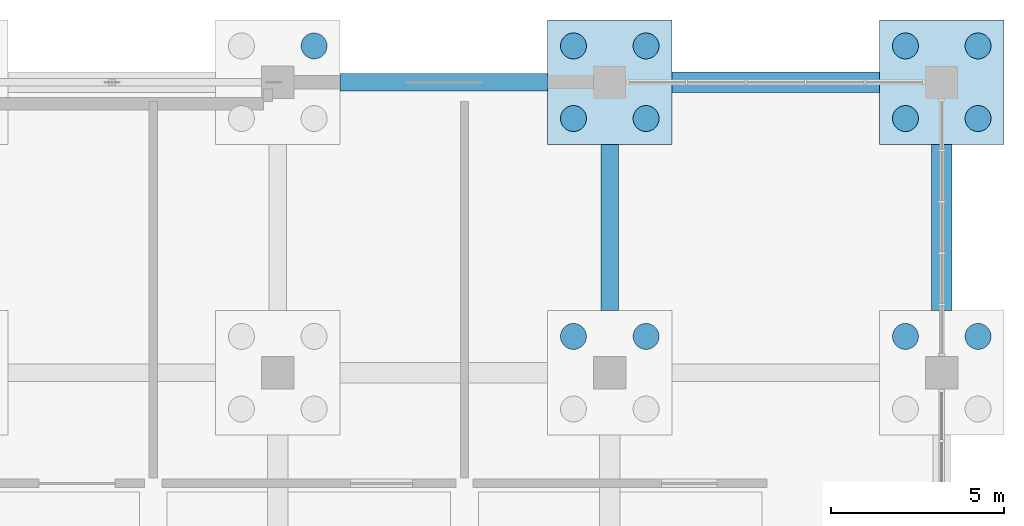
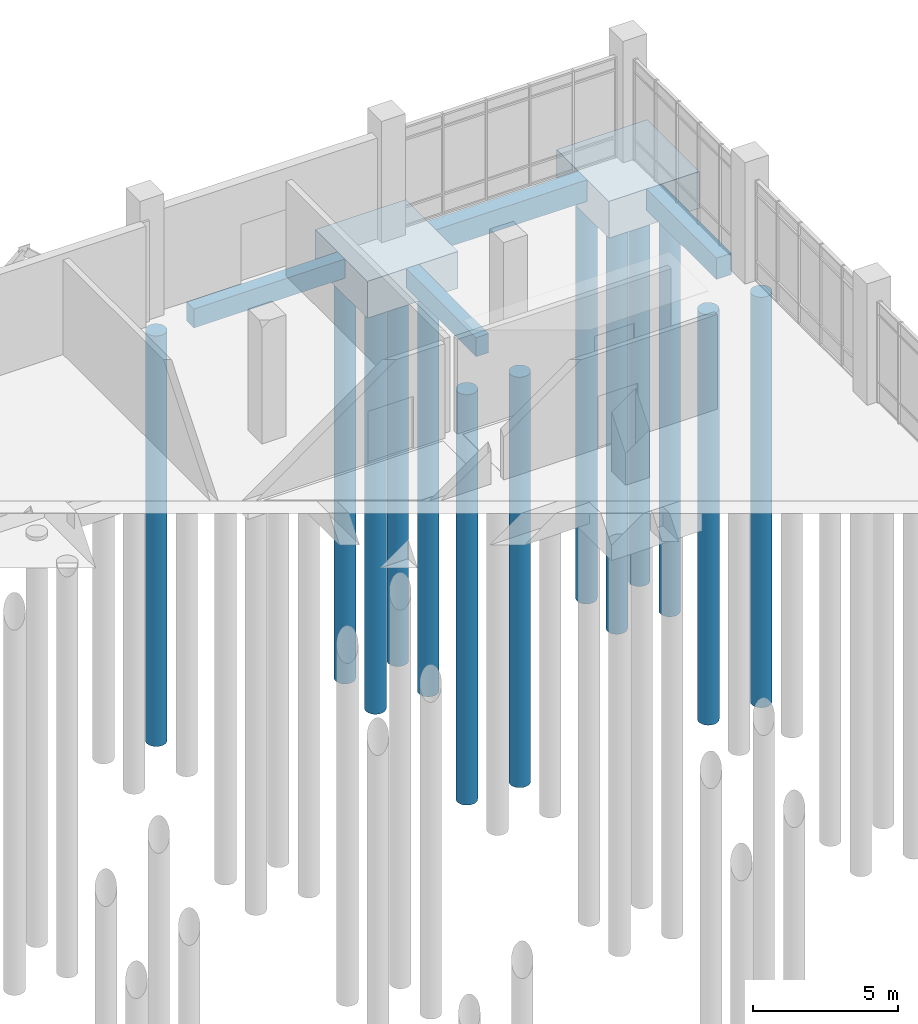
# One storey, part 19 of 136: 13 piles, 6 footings.
"""IFC4 building model written with IfcOpenShell, lengths in metres."""

from ifc_helpers import new_model, si_unit, direction, frame, origin, origin_2d, place, context, subcontext, project, spatial, rectangle, circle, extrude, material, material_profile, profile_set, type_object, element, save


model = new_model("IFC4")

# Units and contexts
model_context = context("Model", 3, precision=1e-05, world=origin(), true_north=direction((0.0, 1.0)))
body_context = subcontext(model_context, "Body", "Model", "MODEL_VIEW")
ifc_project = project(units=[si_unit("LENGTHUNIT", "METRE"), si_unit("AREAUNIT", "SQUARE_METRE"), si_unit("VOLUMEUNIT", "CUBIC_METRE"), si_unit("PLANEANGLEUNIT", "RADIAN"), si_unit("MASSUNIT", "GRAM", prefix="KILO")], contexts=[model_context])

# Site, building, storey
site_placement = place(None, origin())
site = spatial("IfcSite", under=ifc_project, at=site_placement, CompositionType="ELEMENT")
building_placement = place(site_placement, origin())
building = spatial("IfcBuilding", under=site, at=building_placement, Name="Oolite Switchyard Hospital", CompositionType="ELEMENT")
storey_placement = place(building_placement, origin())
storey = spatial("IfcBuildingStorey", under=building, at=storey_placement, Name="L00", CompositionType="ELEMENT", Elevation=0.0)

# Footings
ifc_material = material(Name="Concrete C40/50", Category="concrete")
footing_type_1 = type_object("IfcFootingType", Name="FTG-GB500X800", PredefinedType="FOOTING_BEAM", material=ifc_material)
footing_1_placement = place(storey_placement, frame((196.800048828125, 134.39990234375, -1.14990234375), z_axis=(0.0, 0.0, 1.0), x_axis=(1.0, 0.0, 0.0)))
element("IfcFooting", 1, at=footing_1_placement, inside=storey, type_object=footing_type_1, Name="L00 Grade Beam 264", PredefinedType="FOOTING_BEAM", context=body_context, shape_type="SweptSolid", body=[
    extrude(rectangle(XDim=6.0, YDim=0.5, at=origin_2d()), origin(), (0.0, 0.0, 1.0), 0.800048828125),
])
footing_2_placement = place(storey_placement, frame((201.60009765625, 130.199951171875, -1.14990234375), z_axis=(0.0, 0.0, 1.0), x_axis=(0.0, 1.0, 0.0)))
element("IfcFooting", 2, at=footing_2_placement, inside=storey, type_object=footing_type_1, Name="L00 Grade Beam 517", PredefinedType="FOOTING_BEAM", context=body_context, shape_type="SweptSolid", body=[
    extrude(rectangle(XDim=4.800048828125, YDim=0.5, at=origin_2d()), origin(), (0.0, 0.0, 1.0), 0.800048828125),
])
footing_type_2 = type_object("IfcFootingType", Name="FTG-GB600X900", PredefinedType="FOOTING_BEAM", material=ifc_material)
footing_3_placement = place(storey_placement, frame((206.39990234375, 134.39990234375, -1.25), z_axis=(0.0, 0.0, 1.0), x_axis=(1.0, 0.0, 0.0)))
element("IfcFooting", 3, at=footing_3_placement, inside=storey, type_object=footing_type_2, Name="L00 Grade Beam 265", PredefinedType="FOOTING_BEAM", context=body_context, shape_type="SweptSolid", body=[
    extrude(rectangle(XDim=6.0, YDim=0.60009765625, at=origin_2d()), origin(), (0.0, 0.0, 1.0), 0.89990234375),
])
footing_4_placement = place(storey_placement, frame((211.199951171875, 130.199951171875, -1.25), z_axis=(0.0, 0.0, 1.0), x_axis=(0.0, 1.0, 0.0)))
element("IfcFooting", 4, at=footing_4_placement, inside=storey, type_object=footing_type_2, Name="L00 Grade Beam 526", PredefinedType="FOOTING_BEAM", context=body_context, shape_type="SweptSolid", body=[
    extrude(rectangle(XDim=4.800048828125, YDim=0.60009765625, at=origin_2d()), origin(), (0.0, 0.0, 1.0), 0.89990234375),
])
footing_type_3 = type_object("IfcFootingType", Name="FTG-PC36", PredefinedType="PILE_CAP", material=ifc_material)
for number, where, z_axis, x_axis, name in (
    (5, (201.60009765625, 134.39990234375, -1.89990234375), (0.0, 0.0, 1.0), (1.0, 0.0, 0.0), "L00 Multi-Pile Cap 310"),
    (6, (211.199951171875, 134.39990234375, -1.89990234375), (0.0, 0.0, 1.0), (1.0, 0.0, 0.0), "L00 Multi-Pile Cap 328"),
):
    element("IfcFooting", number, at=place(storey_placement, frame(where, z_axis=z_axis, x_axis=x_axis)), inside=storey, type_object=footing_type_3, Name=name, PredefinedType="PILE_CAP", context=body_context, shape_type="SweptSolid", body=[
        extrude(rectangle(XDim=3.60009765625, YDim=3.60009765625, at=origin_2d()), origin(), (0.0, 0.0, 1.0), 1.550048828125),
    ])

# Piles
ifc_material_profile = material_profile(ifc_material, circle(Radius=0.375, at=origin_2d()), Name="PILE750")
ifc_profile_set = profile_set([ifc_material_profile], Name="Concrete C40/50")
pile_type = type_object("IfcPileType", Name="PILE-ACIP750", PredefinedType="BORED", material=ifc_profile_set)
for number, where, z_axis, x_axis, name in (
    (7, (193.050048828125, 135.449951171875, -1.75), (0.0, 0.0, -1.0), (1.0, 0.0, 0.0), "Augercast Pile 1200"),
    (8, (200.550048828125, 127.050048828125, -1.75), (0.0, 0.0, -1.0), (1.0, 0.0, 0.0), "Augercast Pile 1251"),
    (9, (202.64990234375, 127.050048828125, -1.75), (0.0, 0.0, -1.0), (1.0, 0.0, 0.0), "Augercast Pile 1252"),
    (10, (200.550048828125, 133.35009765625, -1.75), (0.0, 0.0, -1.0), (1.0, 0.0, 0.0), "Augercast Pile 1253"),
    (11, (202.64990234375, 133.35009765625, -1.75), (0.0, 0.0, -1.0), (1.0, 0.0, 0.0), "Augercast Pile 1254"),
    (12, (200.550048828125, 135.449951171875, -1.75), (0.0, 0.0, -1.0), (1.0, 0.0, 0.0), "Augercast Pile 1255"),
    (13, (202.64990234375, 135.449951171875, -1.75), (0.0, 0.0, -1.0), (1.0, 0.0, 0.0), "Augercast Pile 1256"),
    (14, (210.14990234375, 127.050048828125, -1.75), (0.0, 0.0, -1.0), (1.0, 0.0, 0.0), "Augercast Pile 1323"),
    (15, (212.25, 127.050048828125, -1.75), (0.0, 0.0, -1.0), (1.0, 0.0, 0.0), "Augercast Pile 1324"),
    (16, (210.14990234375, 133.35009765625, -1.75), (0.0, 0.0, -1.0), (1.0, 0.0, 0.0), "Augercast Pile 1325"),
    (17, (212.25, 133.35009765625, -1.75), (0.0, 0.0, -1.0), (1.0, 0.0, 0.0), "Augercast Pile 1326"),
    (18, (210.14990234375, 135.449951171875, -1.75), (0.0, 0.0, -1.0), (1.0, 0.0, 0.0), "Augercast Pile 1327"),
    (19, (212.25, 135.449951171875, -1.75), (0.0, 0.0, -1.0), (1.0, 0.0, 0.0), "Augercast Pile 1328"),
):
    element("IfcPile", number, at=place(storey_placement, frame(where, z_axis=z_axis, x_axis=x_axis)), inside=storey, type_object=pile_type, Name=name, PredefinedType="BORED", context=body_context, shape_type="SweptSolid", body=[
        extrude(circle(Radius=0.375, at=origin_2d()), origin(), (0.0, 0.0, 1.0), 17.25),
    ])

save(model, "model.ifc")
